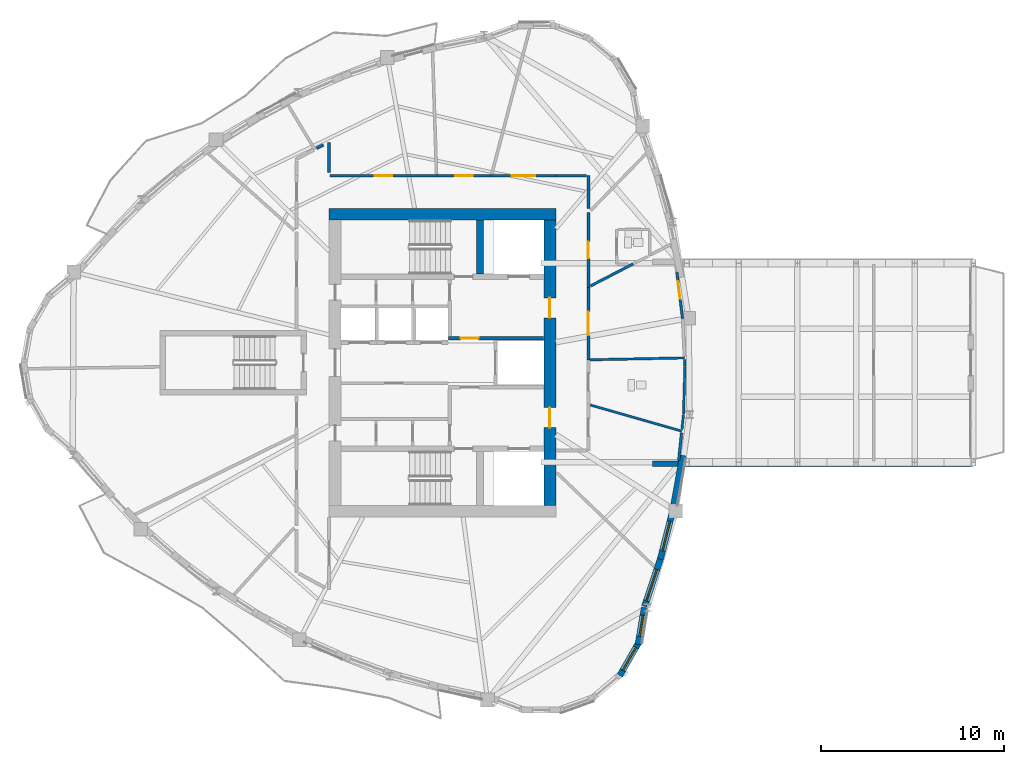
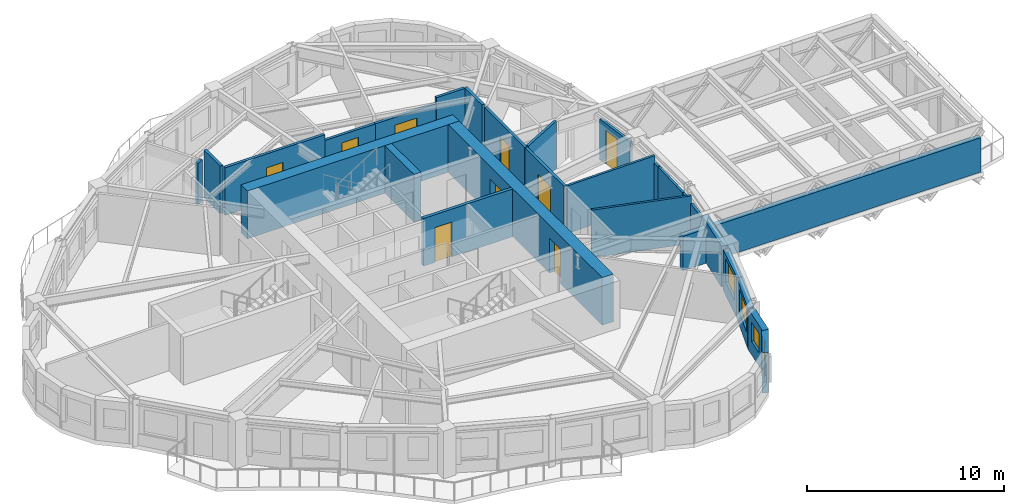
# One storey, part 7 of 13: 27 walls, 9 doors, 4 windows, 13 openings.
"""IFC4 building model written with IfcOpenShell, lengths in metres."""

from ifc_helpers import new_model, si_unit, direction, frame, frame_2d, origin, place, context, subcontext, project, spatial, rectangle, extrude, source, transform, mapped, material, layer, layer_set, type_object, element, fill, save


model = new_model("IFC4")

# Units and contexts
model_context = context("Model", 3, precision=1e-05, world=origin(), true_north=direction((0.0, 1.0)))
body_context = subcontext(model_context, "Body", "Model", "MODEL_VIEW")
ifc_project = project(units=[si_unit("LENGTHUNIT", "METRE"), si_unit("AREAUNIT", "SQUARE_METRE"), si_unit("VOLUMEUNIT", "CUBIC_METRE"), si_unit("PLANEANGLEUNIT", "RADIAN"), si_unit("MASSUNIT", "GRAM", prefix="KILO")], contexts=[model_context])

# Site, building, storey
site_placement = place(None, origin())
site = spatial("IfcSite", under=ifc_project, at=site_placement, CompositionType="ELEMENT")
building_placement = place(site_placement, origin())
building = spatial("IfcBuilding", under=site, at=building_placement, Name="Qafzar Sky-Pleat Residences", CompositionType="ELEMENT")
storey_placement = place(building_placement, frame((0.0, 0.0, 158.60009765625)))
storey = spatial("IfcBuildingStorey", under=building, at=storey_placement, Name="L47", CompositionType="ELEMENT", Elevation=158.60009765625)

# Wall, opening, door
ifc_material_1 = material(Name="Acoustic gypsum plasterboard partition", Category="gypsum")
ifc_layer_1 = layer(ifc_material_1, 0.159912109375)
ifc_layer_set_1 = layer_set([ifc_layer_1], Name="Acoustic gypsum plasterboard partition")
wall_type_1 = type_object("IfcWallType", Name="PART-COR-160", PredefinedType="PARTITIONING", material=ifc_layer_set_1)
wall_1_placement = place(storey_placement, frame((24.2080078125, 36.22998046875, 0.0), z_axis=(0.0, 0.0, 1.0), x_axis=(1.0, 0.0, 0.0)))
wall_1 = element("IfcWall", 1, at=wall_1_placement, inside=storey, type_object=wall_type_1, Name="L47 Partition Wall PART-L47-PW-002", PredefinedType="PARTITIONING", context=body_context, shape_type="SweptSolid", body=[
    extrude(rectangle(XDim=5.83203125, YDim=0.159912109375, at=frame_2d((2.916015625, 0.0))), origin(), (0.0, 0.0, 1.0), 2.949951171875),
])
opening_1_placement = place(wall_1_placement, frame((2.4375, 0.0, 0.0)))
opening_1 = element("IfcOpeningElement", 2, at=opening_1_placement, cuts=wall_1, Name="Opening ID-06", PredefinedType="OPENING", context=body_context, shape_type="SweptSolid", body=[
    extrude(rectangle(XDim=0.9599609375, YDim=2.10009765625, at=frame_2d((0.47998046875, 1.050048828125))), frame((0.0, 0.08984375, 0.0), z_axis=(0.0, -1.0, 0.0), x_axis=(1.0, 0.0, 0.0)), (0.0, 0.0, 1.0), 0.179931640625),
])
ifc_material_2 = material(Name="Timber-faced fire door", Category="wood")
door_type_1 = type_object("IfcDoorType", Name="DR-STD-960", OperationType="NOTDEFINED", PredefinedType="DOOR", material=ifc_material_2)
shared_shape_1 = source(origin(), body_context, "Body", "SweptSolid", [
    extrude(rectangle(XDim=0.9599609375, YDim=2.10009765625, at=frame_2d((0.47998046875, 1.050048828125))), frame((0.0, 0.02490234375, 0.0), z_axis=(0.0, -1.0, 0.0), x_axis=(1.0, 0.0, 0.0)), (0.0, 0.0, 1.0), 0.050048828125),
])
door_1_placement = place(opening_1_placement, origin())
door_1 = element("IfcDoor", 3, at=door_1_placement, inside=storey, type_object=door_type_1, Name="L47 Faculty Research Office Door", OperationType="SINGLE_SWING_LEFT", OverallHeight=2.10009765625, OverallWidth=0.9599609375, PredefinedType="DOOR", context=body_context, shape_type="MappedRepresentation", body=[
    mapped(shared_shape_1, transform((0.0, 0.0, 0.0), x_axis=(1.0, 0.0, 0.0), y_axis=(0.0, 1.0, 0.0), z_axis=(0.0, 0.0, 1.0), scale=1.0)),
])
fill(opening_1, door_1)

wall_2_placement = place(storey_placement, frame((38.330078125, 34.214111328125, 0.0), z_axis=(0.0, 0.0, 1.0), x_axis=(0.0, -1.0, 0.0)))
wall_2 = element("IfcWall", 4, at=wall_2_placement, inside=storey, type_object=wall_type_1, Name="L47 Partition Wall PART-L47-PW-005", PredefinedType="PARTITIONING", context=body_context, shape_type="SweptSolid", body=[
    extrude(rectangle(XDim=4.093017578125, YDim=0.159912109375, at=frame_2d((2.04638671875, 0.0))), origin(), (0.0, 0.0, 1.0), 2.949951171875),
])
opening_2_placement = place(wall_2_placement, frame((1.589111328125, 0.0, 0.0)))
opening_2 = element("IfcOpeningElement", 5, at=opening_2_placement, cuts=wall_2, Name="Opening ID-04", PredefinedType="OPENING", context=body_context, shape_type="SweptSolid", body=[
    extrude(rectangle(XDim=0.919921875, YDim=2.10009765625, at=frame_2d((0.4599609375, 1.050048828125))), frame((0.0, 0.08984375, 0.0), z_axis=(0.0, -1.0, 0.0), x_axis=(1.0, 0.0, 0.0)), (0.0, 0.0, 1.0), 0.179931640625),
])
door_type_2 = type_object("IfcDoorType", Name="DR-BED-920", OperationType="NOTDEFINED", PredefinedType="DOOR", material=ifc_material_2)
shared_shape_2 = source(origin(), body_context, "Body", "SweptSolid", [
    extrude(rectangle(XDim=0.919921875, YDim=2.10009765625, at=frame_2d((0.4599609375, 1.050048828125))), frame((0.0, 0.02490234375, 0.0), z_axis=(0.0, -1.0, 0.0), x_axis=(1.0, 0.0, 0.0)), (0.0, 0.0, 1.0), 0.050048828125),
])
door_2_placement = place(opening_2_placement, origin())
door_2 = element("IfcDoor", 6, at=door_2_placement, inside=storey, type_object=door_type_2, Name="L47 Co-Living Bedroom 1 Door", OperationType="SINGLE_SWING_LEFT", OverallHeight=2.10009765625, OverallWidth=0.919921875, PredefinedType="DOOR", context=body_context, shape_type="MappedRepresentation", body=[
    mapped(shared_shape_2, transform((0.0, 0.0, 0.0), x_axis=(1.0, 0.0, 0.0), y_axis=(0.0, 1.0, 0.0), z_axis=(0.0, 0.0, 1.0), scale=1.0)),
])
fill(opening_2, door_2)

wall_3_placement = place(storey_placement, frame((38.330078125, 30.10595703125, 0.0), z_axis=(0.0, 0.0, 1.0), x_axis=(0.0, -1.0, 0.0)))
wall_3 = element("IfcWall", 7, at=wall_3_placement, inside=storey, type_object=wall_type_1, Name="L47 Partition Wall PART-L47-PW-006", PredefinedType="PARTITIONING", context=body_context, shape_type="SweptSolid", body=[
    extrude(rectangle(XDim=3.9619140625, YDim=0.159912109375, at=frame_2d((1.98095703125, 0.0))), origin(), (0.0, 0.0, 1.0), 2.949951171875),
])
opening_3_placement = place(wall_3_placement, frame((1.3076171875, 0.0, 0.0)))
opening_3 = element("IfcOpeningElement", 8, at=opening_3_placement, cuts=wall_3, Name="Opening ID-05", PredefinedType="OPENING", context=body_context, shape_type="SweptSolid", body=[
    extrude(rectangle(XDim=1.300048828125, YDim=2.10009765625, at=frame_2d((0.64990234375, 1.050048828125))), frame((0.0, 0.08984375, 0.0), z_axis=(0.0, -1.0, 0.0), x_axis=(1.0, 0.0, 0.0)), (0.0, 0.0, 1.0), 0.179931640625),
])
door_type_3 = type_object("IfcDoorType", Name="DR-LNG-1300", OperationType="DOUBLE_DOOR_SINGLE_SWING", PredefinedType="DOOR", material=ifc_material_2)
shared_shape_3 = source(origin(), body_context, "Body", "SweptSolid", [
    extrude(rectangle(XDim=1.300048828125, YDim=2.10009765625, at=frame_2d((0.64990234375, 1.050048828125))), frame((0.0, 0.02490234375, 0.0), z_axis=(0.0, -1.0, 0.0), x_axis=(1.0, 0.0, 0.0)), (0.0, 0.0, 1.0), 0.050048828125),
])
door_3_placement = place(opening_3_placement, origin())
door_3 = element("IfcDoor", 9, at=door_3_placement, inside=storey, type_object=door_type_3, Name="L47 Co-Living Lounge Door", OperationType="DOUBLE_DOOR_SINGLE_SWING", OverallHeight=2.10009765625, OverallWidth=1.300048828125, PredefinedType="DOOR", context=body_context, shape_type="MappedRepresentation", body=[
    mapped(shared_shape_3, transform((0.0, 0.0, 0.0), x_axis=(1.0, 0.0, 0.0), y_axis=(0.0, 1.0, 0.0), z_axis=(0.0, 0.0, 1.0), scale=1.0)),
])
fill(opening_3, door_3)

wall_4_placement = place(storey_placement, frame((33.008056640625, 36.22998046875, 0.0), z_axis=(0.0, 0.0, 1.0), x_axis=(1.0, 0.0, 0.0)))
wall_4 = element("IfcWall", 10, at=wall_4_placement, inside=storey, type_object=wall_type_1, Name="L47 Partition Wall PART-L47-PW-008", PredefinedType="PARTITIONING", context=body_context, shape_type="SweptSolid", body=[
    extrude(rectangle(XDim=3.5419921875, YDim=0.159912109375, at=frame_2d((1.77099609375, 0.0))), origin(), (0.0, 0.0, 1.0), 2.587890625),
])
opening_4_placement = place(wall_4_placement, frame((1.12890625, 0.0, 0.0)))
opening_4 = element("IfcOpeningElement", 11, at=opening_4_placement, cuts=wall_4, Name="Opening ID-05", PredefinedType="OPENING", context=body_context, shape_type="SweptSolid", body=[
    extrude(rectangle(XDim=1.300048828125, YDim=2.10009765625, at=frame_2d((0.64990234375, 1.050048828125))), frame((0.0, 0.08984375, 0.0), z_axis=(0.0, -1.0, 0.0), x_axis=(1.0, 0.0, 0.0)), (0.0, 0.0, 1.0), 0.179931640625),
])
door_4_placement = place(opening_4_placement, origin())
door_4 = element("IfcDoor", 12, at=door_4_placement, inside=storey, type_object=door_type_3, Name="L47 Graduate Lecture Room Door", OperationType="DOUBLE_DOOR_SINGLE_SWING", OverallHeight=2.10009765625, OverallWidth=1.300048828125, PredefinedType="DOOR", context=body_context, shape_type="MappedRepresentation", body=[
    mapped(shared_shape_3, transform((0.0, 0.0, 0.0), x_axis=(1.0, 0.0, 0.0), y_axis=(0.0, 1.0, 0.0), z_axis=(0.0, 0.0, 1.0), scale=1.0)),
])
fill(opening_4, door_4)

wall_5_placement = place(storey_placement, frame((30.054931640625, 36.22998046875, 0.0), z_axis=(0.0, 0.0, 1.0), x_axis=(1.0, 0.0, 0.0)))
wall_5 = element("IfcWall", 13, at=wall_5_placement, inside=storey, type_object=wall_type_1, Name="L47 Partition Wall PART-L47-PW-009", PredefinedType="PARTITIONING", context=body_context, shape_type="SweptSolid", body=[
    extrude(rectangle(XDim=2.93798828125, YDim=0.159912109375, at=frame_2d((1.468994140625, 0.0))), origin(), (0.0, 0.0, 1.0), 2.587890625),
])
opening_5_placement = place(wall_5_placement, frame((0.989501953125, 0.0, 0.0)))
opening_5 = element("IfcOpeningElement", 14, at=opening_5_placement, cuts=wall_5, Name="Opening ID-06", PredefinedType="OPENING", context=body_context, shape_type="SweptSolid", body=[
    extrude(rectangle(XDim=0.9599609375, YDim=2.10009765625, at=frame_2d((0.47998046875, 1.050048828125))), frame((0.0, 0.08984375, 0.0), z_axis=(0.0, -1.0, 0.0), x_axis=(1.0, 0.0, 0.0)), (0.0, 0.0, 1.0), 0.179931640625),
])
door_5_placement = place(opening_5_placement, origin())
door_5 = element("IfcDoor", 15, at=door_5_placement, inside=storey, type_object=door_type_1, Name="L47 Wellness Yoga Studio Door", OperationType="SINGLE_SWING_RIGHT", OverallHeight=2.10009765625, OverallWidth=0.9599609375, PredefinedType="DOOR", context=body_context, shape_type="MappedRepresentation", body=[
    mapped(shared_shape_1, transform((0.0, 0.0, 0.0), x_axis=(1.0, 0.0, 0.0), y_axis=(0.0, 1.0, 0.0), z_axis=(0.0, 0.0, 1.0), scale=1.0)),
])
fill(opening_5, door_5)

# Walls
wall_6_placement = place(storey_placement, frame((38.330078125, 34.449951171875, 0.0), z_axis=(0.0, 0.0, 1.0), x_axis=(0.0, 1.0, 0.0)))
element("IfcWall", 16, at=wall_6_placement, inside=storey, type_object=wall_type_1, Name="L47 Partition Wall PART-L47-PW-033", PredefinedType="PARTITIONING", context=body_context, shape_type="SweptSolid", body=[
    extrude(rectangle(XDim=1.780029296875, YDim=0.159912109375, at=frame_2d((0.89013671875, 0.0))), origin(), (0.0, 0.0, 1.0), 2.949951171875),
])
wall_7_placement = place(storey_placement, frame((36.56494140625, 36.22998046875, 0.0), z_axis=(0.0, 0.0, 1.0), x_axis=(1.0, 0.0, 0.0)))
element("IfcWall", 17, at=wall_7_placement, inside=storey, type_object=wall_type_1, Name="L47 Partition Wall PART-L47-PW-035", PredefinedType="PARTITIONING", context=body_context, shape_type="SweptSolid", body=[
    extrude(rectangle(XDim=1.677001953125, YDim=0.159912109375, at=frame_2d((0.83837890625, 0.0))), origin(), (0.0, 0.0, 1.0), 2.949951171875),
])
wall_8_placement = place(storey_placement, frame((24.14990234375, 36.4150390625, 0.0), z_axis=(0.0, 0.0, 1.0), x_axis=(0.0, 1.0, 0.0)))
element("IfcWall", 18, at=wall_8_placement, inside=storey, type_object=wall_type_1, Name="L47 Partition Wall PART-L47-PW-036", PredefinedType="PARTITIONING", context=body_context, shape_type="SweptSolid", body=[
    extrude(rectangle(XDim=1.640869140625, YDim=0.159912109375, at=frame_2d((0.8203125, 0.0))), origin(), (0.0, 0.0, 1.0), 2.949951171875),
])
wall_9_placement = place(storey_placement, frame((23.46533203125, 37.723876953125, 0.0), z_axis=(0.0, 0.0, 1.0), x_axis=(0.884344349775, 0.466835164722, 0.0)))
element("IfcWall", 19, at=wall_9_placement, inside=storey, type_object=wall_type_1, Name="L47 Partition Wall PART-L47-PW-046", PredefinedType="PARTITIONING", context=body_context, shape_type="SweptSolid", body=[
    extrude(rectangle(XDim=0.415771484375, YDim=0.159912109375, at=frame_2d((0.2080078125, 0.0))), origin(), (0.0, 0.0, 1.0), 2.557861328125),
])

# Wall, opening, door
ifc_material_3 = material(Name="Concrete blockwork partition", Category="masonry")
ifc_layer_2 = layer(ifc_material_3, 0.179931640625)
ifc_layer_set_2 = layer_set([ifc_layer_2], Name="Concrete blockwork partition")
wall_type_2 = type_object("IfcWallType", Name="PART-SHAFT-180", PredefinedType="PARTITIONING", material=ifc_layer_set_2)
wall_10_placement = place(storey_placement, frame((30.669921875, 27.340087890625, 0.0), z_axis=(0.0, 0.0, 1.0), x_axis=(1.0, 0.0, 0.0)))
wall_10 = element("IfcWall", 20, at=wall_10_placement, inside=storey, type_object=wall_type_2, Name="L47 Partition Wall PART-L47-FFL2-S", PredefinedType="PARTITIONING", context=body_context, shape_type="SweptSolid", body=[
    extrude(rectangle(XDim=5.219970703125, YDim=0.179931640625, at=frame_2d((2.60986328125, 0.0))), origin(), (0.0, 0.0, 1.0), 2.949951171875),
])
opening_6_placement = place(wall_10_placement, frame((0.679931640625, 0.0, 0.0)))
opening_6 = element("IfcOpeningElement", 21, at=opening_6_placement, cuts=wall_10, Name="Opening ID-01", PredefinedType="OPENING", context=body_context, shape_type="SweptSolid", body=[
    extrude(rectangle(XDim=0.97998046875, YDim=2.14990234375, at=frame_2d((0.489990234375, 1.074951171875))), frame((0.0, 0.10009765625, 0.0), z_axis=(0.0, -1.0, 0.0), x_axis=(1.0, 0.0, 0.0)), (0.0, 0.0, 1.0), 0.199951171875),
])
door_type_4 = type_object("IfcDoorType", Name="DR-STAIR-980", OperationType="NOTDEFINED", PredefinedType="DOOR", material=ifc_material_2)
shared_shape_4 = source(origin(), body_context, "Body", "SweptSolid", [
    extrude(rectangle(XDim=0.97998046875, YDim=2.14990234375, at=frame_2d((0.489990234375, 1.074951171875))), frame((0.0, 0.02490234375, 0.0), z_axis=(0.0, -1.0, 0.0), x_axis=(1.0, 0.0, 0.0)), (0.0, 0.0, 1.0), 0.050048828125),
])
door_6_placement = place(opening_6_placement, origin())
door_6 = element("IfcDoor", 22, at=door_6_placement, inside=storey, type_object=door_type_4, Name="L47 Lift Lobby to North Firefighting Lobby Door", OperationType="SINGLE_SWING_LEFT", OverallHeight=2.14990234375, OverallWidth=0.97998046875, PredefinedType="DOOR", context=body_context, shape_type="MappedRepresentation", body=[
    mapped(shared_shape_4, transform((0.0, 0.0, 0.0), x_axis=(1.0, 0.0, 0.0), y_axis=(0.0, 1.0, 0.0), z_axis=(0.0, 0.0, 1.0), scale=1.0)),
])
fill(opening_6, door_6)

ifc_layer_3 = layer(ifc_material_1, 0.14501953125)
ifc_layer_set_3 = layer_set([ifc_layer_3], Name="Acoustic gypsum plasterboard partition")
wall_type_3 = type_object("IfcWallType", Name="PART-UNIT-145", PredefinedType="PARTITIONING", material=ifc_layer_set_3)
wall_11_placement = place(storey_placement, frame((43.172119140625, 30.951171875, 0.0), z_axis=(0.0, 0.0, 1.0), x_axis=(0.122990311665, -0.99240787141, 0.0)))
wall_11 = element("IfcWall", 23, at=wall_11_placement, inside=storey, type_object=wall_type_3, Name="L47 Partition Wall PART-L47-PW-010", PredefinedType="PARTITIONING", context=body_context, shape_type="SweptSolid", body=[
    extrude(rectangle(XDim=2.560791015625, YDim=0.14501953125, at=frame_2d((1.2802734375, 0.0))), origin(), (0.0, 0.0, 1.0), 2.517822265625),
])
opening_7_placement = place(wall_11_placement, frame((0.51025390625, 0.0, 0.0)))
opening_7 = element("IfcOpeningElement", 24, at=opening_7_placement, cuts=wall_11, Name="Opening ID-06", PredefinedType="OPENING", context=body_context, shape_type="SweptSolid", body=[
    extrude(rectangle(XDim=0.9599609375, YDim=2.10009765625, at=frame_2d((0.47998046875, 1.050048828125))), frame((0.0, 0.08251953125, 0.0), z_axis=(0.0, -1.0, 0.0), x_axis=(1.0, 0.0, 0.0)), (0.0, 0.0, 1.0), 0.1650390625),
])
door_7_placement = place(opening_7_placement, origin())
door_7 = element("IfcDoor", 25, at=door_7_placement, inside=storey, type_object=door_type_1, Name="L47 Sky-Bar Reading Library Door", OperationType="SINGLE_SWING_LEFT", OverallHeight=2.10009765625, OverallWidth=0.9599609375, PredefinedType="DOOR", context=body_context, shape_type="MappedRepresentation", body=[
    mapped(shared_shape_1, transform((0.0, 0.0, 0.0), x_axis=(1.0, 0.0, 0.0), y_axis=(0.0, 1.0, 0.0), z_axis=(0.0, 0.0, 1.0), scale=1.0)),
])
fill(opening_7, door_7)

# Walls
wall_12_placement = place(storey_placement, frame((38.450439453125, 30.200439453125, 0.0), z_axis=(0.0, 0.0, 1.0), x_axis=(0.887788385545, 0.460251868537, 0.0)))
element("IfcWall", 26, at=wall_12_placement, inside=storey, type_object=wall_type_3, Name="L47 Partition Wall PART-L47-PW-027", PredefinedType="PARTITIONING", context=body_context, shape_type="SweptSolid", body=[
    extrude(rectangle(XDim=2.619384765625, YDim=0.14501953125, at=frame_2d((1.3095703125, 0.0))), origin(), (0.0, 0.0, 1.0), 2.949951171875),
])
wall_13_placement = place(storey_placement, frame((43.272705078125, 20.6455078125, 0.0), z_axis=(0.0, 0.0, 1.0), x_axis=(0.103045636414, 0.99467662927, 0.0)))
element("IfcWall", 27, at=wall_13_placement, inside=storey, type_object=wall_type_3, Name="L47 Partition Wall PART-L47-PW-037", PredefinedType="PARTITIONING", context=body_context, shape_type="SweptSolid", body=[
    extrude(rectangle(XDim=1.53515625, YDim=0.14501953125, at=frame_2d((0.767578125, 0.0))), origin(), (0.0, 0.0, 1.0), 2.517822265625),
])
ifc_material_4 = material(Name="Moisture-resistant gypsum partition", Category="gypsum")
ifc_layer_4 = layer(ifc_material_4, 0.1298828125)
ifc_layer_set_4 = layer_set([ifc_layer_4], Name="Moisture-resistant gypsum partition")
wall_type_4 = type_object("IfcWallType", Name="PART-WET-130", PredefinedType="PARTITIONING", material=ifc_layer_set_4)
wall_14_placement = place(storey_placement, frame((38.435546875, 23.688720703125, 0.0), z_axis=(0.0, 0.0, 1.0), x_axis=(0.961531027854, -0.274696345942, 0.0)))
element("IfcWall", 28, at=wall_14_placement, inside=storey, type_object=wall_type_4, Name="L47 Partition Wall PART-L47-PW-022", PredefinedType="PARTITIONING", context=body_context, shape_type="SweptSolid", body=[
    extrude(rectangle(XDim=5.20458984375, YDim=0.1298828125, at=frame_2d((2.602294921875, 0.0))), origin(), (0.0, 0.0, 1.0), 2.949951171875),
])
wall_15_placement = place(storey_placement, frame((38.419189453125, 26.160888671875, 0.0), z_axis=(0.0, 0.0, 1.0), x_axis=(0.999801492135, 0.019924264719, 0.0)))
element("IfcWall", 29, at=wall_15_placement, inside=storey, type_object=wall_type_4, Name="L47 Partition Wall PART-L47-PW-023", PredefinedType="PARTITIONING", context=body_context, shape_type="SweptSolid", body=[
    extrude(rectangle(XDim=5.1708984375, YDim=0.1298828125, at=frame_2d((2.58544921875, 0.0))), origin(), (0.0, 0.0, 1.0), 2.949951171875),
])
wall_16_placement = place(storey_placement, frame((43.537109375, 23.18994140625, 0.0), z_axis=(0.0, 0.0, 1.0), x_axis=(0.028319632762, 0.999598918767, 0.0)))
element("IfcWall", 30, at=wall_16_placement, inside=storey, type_object=wall_type_4, Name="L47 Partition Wall PART-L47-PW-028", PredefinedType="PARTITIONING", context=body_context, shape_type="SweptSolid", body=[
    extrude(rectangle(XDim=2.612060546875, YDim=0.1298828125, at=frame_2d((1.30615234375, 0.0))), origin(), (0.0, 0.0, 1.0), 2.517822265625),
])
wall_17_placement = place(storey_placement, frame((43.450439453125, 22.35888671875, 0.0), z_axis=(0.0, 0.0, 1.0), x_axis=(0.103538633142, 0.994625432737, 0.0)))
element("IfcWall", 31, at=wall_17_placement, inside=storey, type_object=wall_type_4, Name="L47 Partition Wall PART-L47-PW-043", PredefinedType="PARTITIONING", context=body_context, shape_type="SweptSolid", body=[
    extrude(rectangle(XDim=0.820556640625, YDim=0.1298828125, at=frame_2d((0.41015625, 0.0))), origin(), (0.0, 0.0, 1.0), 2.517822265625),
])
wall_18_placement = place(storey_placement, frame((43.59326171875, 26.17431640625, 0.0), z_axis=(0.0, 0.0, 1.0), x_axis=(0.04762980516, -0.998865056782, 0.0)))
element("IfcWall", 32, at=wall_18_placement, inside=storey, type_object=wall_type_4, Name="L47 Partition Wall PART-L47-PW-047", PredefinedType="PARTITIONING", context=body_context, shape_type="SweptSolid", body=[
    extrude(rectangle(XDim=0.35888671875, YDim=0.1298828125, at=frame_2d((0.179443359375, 0.0))), origin(), (0.0, 0.0, 1.0), 2.517822265625),
])
ifc_material_5 = material(Name="Precast concrete C40/50 with honed Riyadh limestone", Category="concrete")
ifc_layer_5 = layer(ifc_material_5, 0.300048828125)
ifc_layer_set_5 = layer_set([ifc_layer_5], Name="Precast concrete C40/50 with honed Riyadh limestone")
wall_type_5 = type_object("IfcWallType", Name="WALL-EXT-300", PredefinedType="SOLIDWALL", material=ifc_layer_set_5)
wall_19_placement = place(storey_placement, frame((41.85009765625, 20.47998046875, 0.0), z_axis=(0.0, 0.0, 1.0), x_axis=(1.0, 0.0, 0.0)))
element("IfcWall", 33, at=wall_19_placement, inside=storey, type_object=wall_type_5, Name="L47 SB-4 Side Spandrel Wall R", PredefinedType="SOLIDWALL", context=body_context, shape_type="SweptSolid", body=[
    extrude(rectangle(XDim=17.422607421875, YDim=0.300048828125, at=frame_2d((8.71142578125, 0.0))), origin(), (0.0, 0.0, 1.0), 2.1298828125),
])

# Wall, opening, window
ifc_layer_6 = layer(ifc_material_5, 0.340087890625)
ifc_layer_set_6 = layer_set([ifc_layer_6], Name="Precast concrete C40/50 with honed Riyadh limestone")
wall_type_6 = type_object("IfcWallType", Name="WALL-EXT-340", PredefinedType="SOLIDWALL", material=ifc_layer_set_6)
wall_20_placement = place(storey_placement, frame((40.054443359375, 8.886474609375, 0.0), z_axis=(0.0, 0.0, 1.0), x_axis=(0.495852152567, 0.868406956901, 0.0)))
wall_20 = element("IfcWall", 34, at=wall_20_placement, inside=storey, type_object=wall_type_6, Name="L47 Limestone Facade Wall 21", PredefinedType="SOLIDWALL", context=body_context, shape_type="SweptSolid", body=[
    extrude(rectangle(XDim=2.10888671875, YDim=0.340087890625, at=frame_2d((1.054443359375, 0.0))), origin(), (0.0, 0.0, 1.0), 2.52978515625),
])
opening_8_placement = place(wall_20_placement, frame((0.329345703125, 0.0, 0.820068359375)))
opening_8 = element("IfcOpeningElement", 35, at=opening_8_placement, cuts=wall_20, Name="Opening WN-15", PredefinedType="OPENING", context=body_context, shape_type="SweptSolid", body=[
    extrude(rectangle(XDim=1.449951171875, YDim=1.25, at=frame_2d((0.72509765625, 0.625))), frame((0.0, 0.18017578125, 0.0), z_axis=(0.0, -1.0, 0.0), x_axis=(1.0, 0.0, 0.0)), (0.0, 0.0, 1.0), 0.360107421875),
])
ifc_material_6 = material(Name="Solar-control low-E glass in bronze aluminium frame", Category="glass")
window_type_1 = type_object("IfcWindowType", Name="WIN-15", PartitioningType="SINGLE_PANEL", PredefinedType="WINDOW", material=ifc_material_6)
shared_shape_5 = source(origin(), body_context, "Body", "SweptSolid", [
    extrude(rectangle(XDim=1.449951171875, YDim=1.25, at=frame_2d((0.72509765625, 0.625))), frame((0.0, 0.030029296875, 0.0), z_axis=(0.0, -1.0, 0.0), x_axis=(1.0, 0.0, 0.0)), (0.0, 0.0, 1.0), 0.06005859375),
])
window_1_placement = place(opening_8_placement, origin())
window_1 = element("IfcWindow", 36, at=window_1_placement, inside=storey, type_object=window_type_1, Name="L47 Punched Facade Window 21", OverallHeight=1.25, OverallWidth=1.449951171875, PartitioningType="SINGLE_PANEL", PredefinedType="WINDOW", context=body_context, shape_type="MappedRepresentation", body=[
    mapped(shared_shape_5, transform((0.0, 0.0, 0.0), x_axis=(1.0, 0.0, 0.0), y_axis=(0.0, 1.0, 0.0), z_axis=(0.0, 0.0, 1.0), scale=1.0)),
])
fill(opening_8, window_1)

wall_21_placement = place(storey_placement, frame((41.054931640625, 10.591064453125, 0.0), z_axis=(0.0, 0.0, 1.0), x_axis=(0.165731018204, 0.9861709941, 0.0)))
wall_21 = element("IfcWall", 37, at=wall_21_placement, inside=storey, type_object=wall_type_6, Name="L47 Limestone Facade Wall 22", PredefinedType="SOLIDWALL", context=body_context, shape_type="SweptSolid", body=[
    extrude(rectangle(XDim=2.050537109375, YDim=0.340087890625, at=frame_2d((1.025390625, 0.0))), origin(), (0.0, 0.0, 1.0), 2.52978515625),
])
opening_9_placement = place(wall_21_placement, frame((0.460205078125, 0.0, 0.820068359375)))
opening_9 = element("IfcOpeningElement", 38, at=opening_9_placement, cuts=wall_21, Name="Opening WN-16", PredefinedType="OPENING", context=body_context, shape_type="SweptSolid", body=[
    extrude(rectangle(XDim=1.14990234375, YDim=1.199951171875, at=frame_2d((0.574951171875, 0.60009765625))), frame((0.0, 0.18017578125, 0.0), z_axis=(0.0, -1.0, 0.0), x_axis=(1.0, 0.0, 0.0)), (0.0, 0.0, 1.0), 0.360107421875),
])
window_type_2 = type_object("IfcWindowType", Name="WIN-16", PartitioningType="SINGLE_PANEL", PredefinedType="WINDOW", material=ifc_material_6)
shared_shape_6 = source(origin(), body_context, "Body", "SweptSolid", [
    extrude(rectangle(XDim=1.14990234375, YDim=1.199951171875, at=frame_2d((0.574951171875, 0.60009765625))), frame((0.0, 0.030029296875, 0.0), z_axis=(0.0, -1.0, 0.0), x_axis=(1.0, 0.0, 0.0)), (0.0, 0.0, 1.0), 0.06005859375),
])
window_2_placement = place(opening_9_placement, origin())
window_2 = element("IfcWindow", 39, at=window_2_placement, inside=storey, type_object=window_type_2, Name="L47 Punched Facade Window 22", OverallHeight=1.199951171875, OverallWidth=1.14990234375, PartitioningType="SINGLE_PANEL", PredefinedType="WINDOW", context=body_context, shape_type="MappedRepresentation", body=[
    mapped(shared_shape_6, transform((0.0, 0.0, 0.0), x_axis=(1.0, 0.0, 0.0), y_axis=(0.0, 1.0, 0.0), z_axis=(0.0, 0.0, 1.0), scale=1.0)),
])
fill(opening_9, window_2)

wall_22_placement = place(storey_placement, frame((41.41064453125, 12.677490234375, 0.0), z_axis=(0.0, 0.0, 1.0), x_axis=(0.31445026244, 0.949273950159, 0.0)))
wall_22 = element("IfcWall", 40, at=wall_22_placement, inside=storey, type_object=wall_type_6, Name="L47 Limestone Facade Wall 23", PredefinedType="SOLIDWALL", context=body_context, shape_type="SweptSolid", body=[
    extrude(rectangle(XDim=2.802734375, YDim=0.340087890625, at=frame_2d((1.4013671875, 0.0))), origin(), (0.0, 0.0, 1.0), 2.52978515625),
])
opening_10_placement = place(wall_22_placement, frame((0.32080078125, 0.0, 0.820068359375)))
opening_10 = element("IfcOpeningElement", 41, at=opening_10_placement, cuts=wall_22, Name="Opening WN-01", PredefinedType="OPENING", context=body_context, shape_type="SweptSolid", body=[
    extrude(rectangle(XDim=1.800048828125, YDim=1.449951171875, at=frame_2d((0.89990234375, 0.72509765625))), frame((0.0, 0.18017578125, 0.0), z_axis=(0.0, -1.0, 0.0), x_axis=(1.0, 0.0, 0.0)), (0.0, 0.0, 1.0), 0.360107421875),
])
window_type_3 = type_object("IfcWindowType", Name="WIN-01", PartitioningType="DOUBLE_PANEL_VERTICAL", PredefinedType="WINDOW", material=ifc_material_6)
shared_shape_7 = source(origin(), body_context, "Body", "SweptSolid", [
    extrude(rectangle(XDim=1.800048828125, YDim=1.449951171875, at=frame_2d((0.89990234375, 0.72509765625))), frame((0.0, 0.030029296875, 0.0), z_axis=(0.0, -1.0, 0.0), x_axis=(1.0, 0.0, 0.0)), (0.0, 0.0, 1.0), 0.06005859375),
])
window_3_placement = place(opening_10_placement, origin())
window_3 = element("IfcWindow", 42, at=window_3_placement, inside=storey, type_object=window_type_3, Name="L47 Punched Facade Window 23", OverallHeight=1.449951171875, OverallWidth=1.800048828125, PartitioningType="SINGLE_PANEL", PredefinedType="WINDOW", context=body_context, shape_type="MappedRepresentation", body=[
    mapped(shared_shape_7, transform((0.0, 0.0, 0.0), x_axis=(1.0, 0.0, 0.0), y_axis=(0.0, 1.0, 0.0), z_axis=(0.0, 0.0, 1.0), scale=1.0)),
])
fill(opening_10, window_3)

wall_23_placement = place(storey_placement, frame((42.267333984375, 15.25390625, 0.0), z_axis=(0.0, 0.0, 1.0), x_axis=(0.247727064013, 0.96882986213, 0.0)))
wall_23 = element("IfcWall", 43, at=wall_23_placement, inside=storey, type_object=wall_type_6, Name="L47 Limestone Facade Wall 24", PredefinedType="SOLIDWALL", context=body_context, shape_type="SweptSolid", body=[
    extrude(rectangle(XDim=2.609619140625, YDim=0.340087890625, at=frame_2d((1.3046875, 0.0))), origin(), (0.0, 0.0, 1.0), 2.52978515625),
])
opening_11_placement = place(wall_23_placement, frame((0.48486328125, 0.0, 0.820068359375)))
opening_11 = element("IfcOpeningElement", 44, at=opening_11_placement, cuts=wall_23, Name="Opening WN-02", PredefinedType="OPENING", context=body_context, shape_type="SweptSolid", body=[
    extrude(rectangle(XDim=1.64990234375, YDim=1.449951171875, at=frame_2d((0.824951171875, 0.72509765625))), frame((0.0, 0.18017578125, 0.0), z_axis=(0.0, -1.0, 0.0), x_axis=(1.0, 0.0, 0.0)), (0.0, 0.0, 1.0), 0.360107421875),
])
window_type_4 = type_object("IfcWindowType", Name="WIN-02", PartitioningType="DOUBLE_PANEL_VERTICAL", PredefinedType="WINDOW", material=ifc_material_6)
shared_shape_8 = source(origin(), body_context, "Body", "SweptSolid", [
    extrude(rectangle(XDim=1.64990234375, YDim=1.449951171875, at=frame_2d((0.824951171875, 0.72509765625))), frame((0.0, 0.030029296875, 0.0), z_axis=(0.0, -1.0, 0.0), x_axis=(1.0, 0.0, 0.0)), (0.0, 0.0, 1.0), 0.06005859375),
])
window_4_placement = place(opening_11_placement, origin())
window_4 = element("IfcWindow", 45, at=window_4_placement, inside=storey, type_object=window_type_4, Name="L47 Punched Facade Window 24", OverallHeight=1.449951171875, OverallWidth=1.64990234375, PartitioningType="SINGLE_PANEL", PredefinedType="WINDOW", context=body_context, shape_type="MappedRepresentation", body=[
    mapped(shared_shape_8, transform((0.0, 0.0, 0.0), x_axis=(1.0, 0.0, 0.0), y_axis=(0.0, 1.0, 0.0), z_axis=(0.0, 0.0, 1.0), scale=1.0)),
])
fill(opening_11, window_4)

# Walls
wall_24_placement = place(storey_placement, frame((42.976806640625, 18.072998046875, 0.0), z_axis=(0.0, 0.0, 1.0), x_axis=(0.177185533742, 0.984177467042, 0.0)))
element("IfcWall", 46, at=wall_24_placement, inside=storey, type_object=wall_type_6, Name="L47 Limestone Facade Wall 25", PredefinedType="SOLIDWALL", context=body_context, shape_type="SweptSolid", body=[
    extrude(rectangle(XDim=2.9072265625, YDim=0.340087890625, at=frame_2d((1.45361328125, 0.0))), origin(), (0.0, 0.0, 1.0), 2.52978515625),
])
ifc_material_7 = material(Name="Concrete C60/75", Category="concrete")
ifc_layer_7 = layer(ifc_material_7, 0.39990234375)
ifc_layer_set_7 = layer_set([ifc_layer_7], Name="Concrete C60/75")
wall_type_7 = type_object("IfcWallType", Name="WALL-SHEAR-400", PredefinedType="SHEAR", material=ifc_layer_set_7)
wall_25_placement = place(storey_placement, frame((32.39990234375, 30.85009765625, 0.0), z_axis=(0.0, 0.0, 1.0), x_axis=(0.0, 1.0, 0.0)))
element("IfcWall", 47, at=wall_25_placement, inside=storey, type_object=wall_type_7, Name="L47 Stair ST2 East Dividing Wall", PredefinedType="SHEAR", context=body_context, shape_type="SweptSolid", body=[
    extrude(rectangle(XDim=2.949951171875, YDim=0.39990234375, at=frame_2d((1.47509765625, 0.0))), origin(), (0.0, 0.0, 1.0), 2.949951171875),
])
ifc_layer_8 = layer(ifc_material_7, 0.64990234375)
ifc_layer_set_8 = layer_set([ifc_layer_8], Name="Concrete C60/75")
wall_type_8 = type_object("IfcWallType", Name="WALL-SHEAR-650", PredefinedType="SHEAR", material=ifc_layer_set_8)
wall_26_placement = place(storey_placement, frame((36.550048828125, 34.125, 0.0), z_axis=(0.0, 0.0, 1.0), x_axis=(-1.0, 0.0, 0.0)))
element("IfcWall", 48, at=wall_26_placement, inside=storey, type_object=wall_type_8, Name="L47 CORE wall N", PredefinedType="SHEAR", context=body_context, shape_type="SweptSolid", body=[
    extrude(rectangle(XDim=12.400146484375, YDim=0.64990234375, at=frame_2d((6.2001953125, 0.0))), origin(), (0.0, 0.0, 1.0), 2.949951171875),
])

# Wall, openings, doors
wall_27_placement = place(storey_placement, frame((36.22509765625, 18.199951171875, 0.0), z_axis=(0.0, 0.0, 1.0), x_axis=(0.0, 1.0, 0.0)))
wall_27 = element("IfcWall", 49, at=wall_27_placement, inside=storey, type_object=wall_type_8, Name="L47 CORE wall E", PredefinedType="SHEAR", context=body_context, shape_type="SweptSolid", body=[
    extrude(rectangle(XDim=15.60009765625, YDim=0.64990234375, at=frame_2d((7.800048828125, 0.0))), origin(), (0.0, 0.0, 1.0), 2.949951171875),
])
opening_12_placement = place(wall_27_placement, frame((4.25, 0.0, 0.0)))
opening_12 = element("IfcOpeningElement", 50, at=opening_12_placement, cuts=wall_27, Name="Opening ID-02", PredefinedType="OPENING", context=body_context, shape_type="SweptSolid", body=[
    extrude(rectangle(XDim=1.10009765625, YDim=2.14990234375, at=frame_2d((0.550048828125, 1.074951171875))), frame((0.0, 0.3349609375, 0.0), z_axis=(0.0, -1.0, 0.0), x_axis=(1.0, 0.0, 0.0)), (0.0, 0.0, 1.0), 0.669921875),
])
opening_13_placement = place(wall_27_placement, frame((10.25, 0.0, 0.0)))
opening_13 = element("IfcOpeningElement", 51, at=opening_13_placement, cuts=wall_27, Name="Opening ID-02", PredefinedType="OPENING", context=body_context, shape_type="SweptSolid", body=[
    extrude(rectangle(XDim=1.10009765625, YDim=2.14990234375, at=frame_2d((0.550048828125, 1.074951171875))), frame((0.0, 0.3349609375, 0.0), z_axis=(0.0, -1.0, 0.0), x_axis=(1.0, 0.0, 0.0)), (0.0, 0.0, 1.0), 0.669921875),
])
door_type_5 = type_object("IfcDoorType", Name="DR-FFL-1100", OperationType="NOTDEFINED", PredefinedType="DOOR", material=ifc_material_2)
shared_shape_9 = source(origin(), body_context, "Body", "SweptSolid", [
    extrude(rectangle(XDim=1.10009765625, YDim=2.14990234375, at=frame_2d((0.550048828125, 1.074951171875))), frame((0.0, 0.02490234375, 0.0), z_axis=(0.0, -1.0, 0.0), x_axis=(1.0, 0.0, 0.0)), (0.0, 0.0, 1.0), 0.050048828125),
])
door_8_placement = place(opening_12_placement, origin())
door_8 = element("IfcDoor", 52, at=door_8_placement, inside=storey, type_object=door_type_5, Name="L47 Firefighting Lobby South Corridor Door", OperationType="SINGLE_SWING_RIGHT", OverallHeight=2.14990234375, OverallWidth=1.10009765625, PredefinedType="DOOR", context=body_context, shape_type="MappedRepresentation", body=[
    mapped(shared_shape_9, transform((0.0, 0.0, 0.0), x_axis=(1.0, 0.0, 0.0), y_axis=(0.0, 1.0, 0.0), z_axis=(0.0, 0.0, 1.0), scale=1.0)),
])
fill(opening_12, door_8)
door_9_placement = place(opening_13_placement, origin())
door_9 = element("IfcDoor", 53, at=door_9_placement, inside=storey, type_object=door_type_5, Name="L47 Firefighting Lobby North Corridor Door", OperationType="SINGLE_SWING_LEFT", OverallHeight=2.14990234375, OverallWidth=1.10009765625, PredefinedType="DOOR", context=body_context, shape_type="MappedRepresentation", body=[
    mapped(shared_shape_9, transform((0.0, 0.0, 0.0), x_axis=(1.0, 0.0, 0.0), y_axis=(0.0, 1.0, 0.0), z_axis=(0.0, 0.0, 1.0), scale=1.0)),
])
fill(opening_13, door_9)

save(model, "model.ifc")
